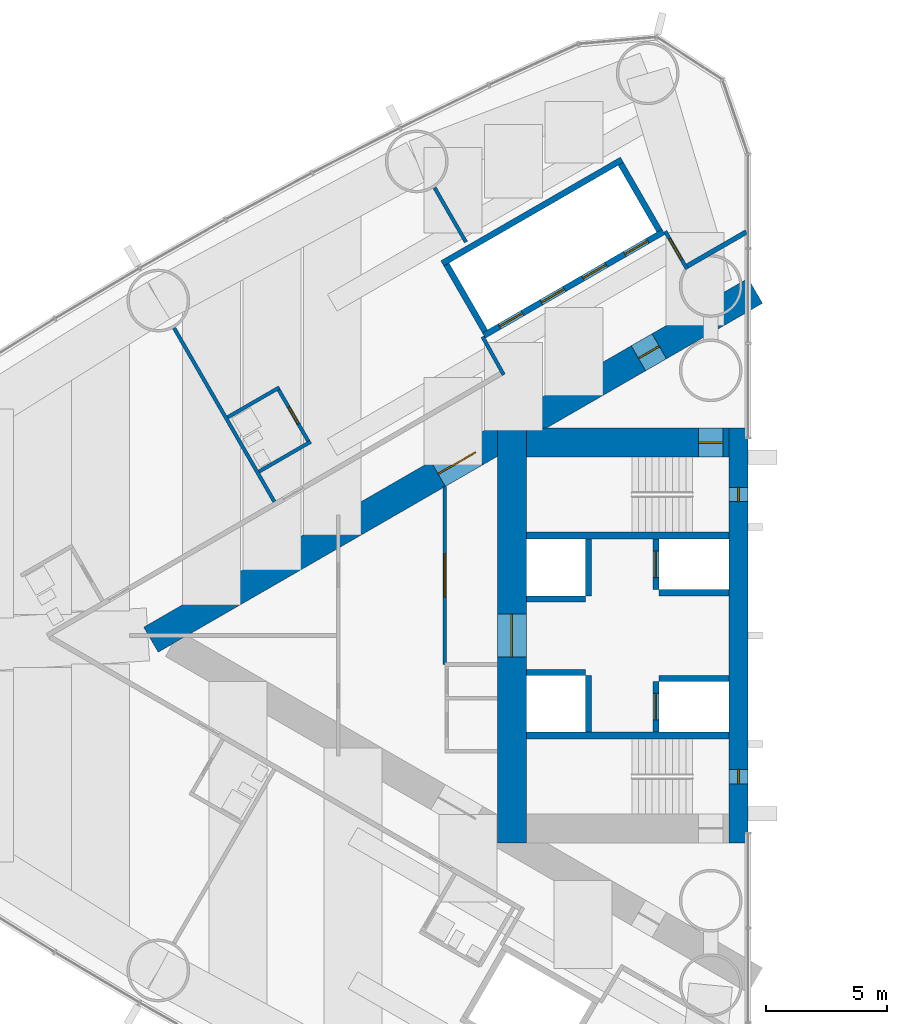
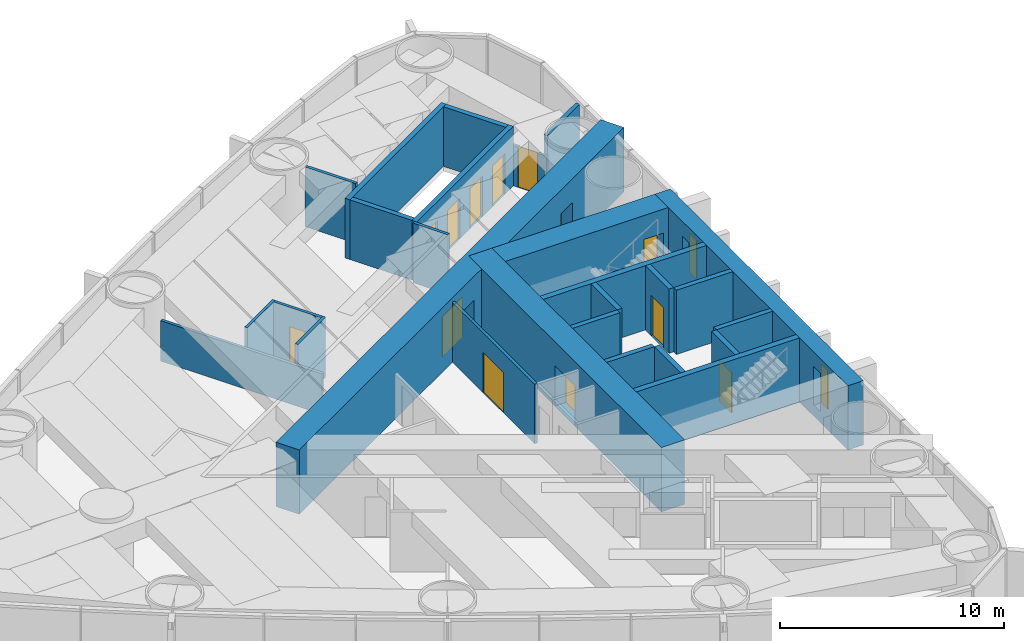
# One storey, part 12 of 18: 27 walls, 13 doors, 2 windows, 15 openings.
"""IFC4 building model written with IfcOpenShell, lengths in metres."""

from ifc_helpers import new_model, si_unit, direction, frame, frame_2d, origin, place, context, subcontext, project, spatial, rectangle, extrude, material, layer, layer_set, type_object, element, fill, save


model = new_model("IFC4")

# Units and contexts
model_context = context("Model", 3, precision=1e-05, world=origin(), true_north=direction((0.0, 1.0)))
body_context = subcontext(model_context, "Body", "Model", "MODEL_VIEW")
ifc_project = project(units=[si_unit("LENGTHUNIT", "METRE"), si_unit("AREAUNIT", "SQUARE_METRE"), si_unit("VOLUMEUNIT", "CUBIC_METRE"), si_unit("PLANEANGLEUNIT", "RADIAN"), si_unit("MASSUNIT", "GRAM", prefix="KILO")], contexts=[model_context])

# Site, building, storey
site_placement = place(None, origin())
site = spatial("IfcSite", under=ifc_project, at=site_placement, CompositionType="ELEMENT")
building_placement = place(site_placement, origin())
building = spatial("IfcBuilding", under=site, at=building_placement, Name="Lancet Gate Hotel", CompositionType="ELEMENT")
storey_placement = place(building_placement, frame((0.0, 0.0, 97.60009765625)))
storey = spatial("IfcBuildingStorey", under=building, at=storey_placement, Name="L25", CompositionType="ELEMENT", Elevation=97.60009765625)

# Wall
ifc_material_1 = material(Name="Moisture resistant board partition")
ifc_layer_1 = layer(ifc_material_1, 0.14990234375)
ifc_layer_set_1 = layer_set([ifc_layer_1], Name="Bathroom wall 150")
wall_type_1 = type_object("IfcWallType", Name="Bathroom wall 150", PredefinedType="PARTITIONING", material=ifc_layer_set_1)
wall_1_placement = place(storey_placement, frame((-46.94287109375, 10.29150390625, 0.0), z_axis=(0.0, 0.0, 1.0), x_axis=(-0.866006523861, -0.500032699561, 0.0)))
element("IfcWall", 1, at=wall_1_placement, inside=storey, type_object=wall_type_1, Name="T1 bathroom wall 150 L25", PredefinedType="PARTITIONING", context=body_context, shape_type="SweptSolid", body=[
    extrude(rectangle(XDim=2.474853515625, YDim=0.14990234375, at=frame_2d((1.2373046875, 0.0))), origin(), (0.0, 0.0, 1.0), 3.25),
])

# Wall, opening, door
wall_2_placement = place(storey_placement, frame((-45.707763671875, 8.00244140625, 0.0), z_axis=(0.0, 0.0, 1.0), x_axis=(-0.500047596559, 0.865997922154, 0.0)))
wall_2 = element("IfcWall", 2, at=wall_2_placement, inside=storey, type_object=wall_type_1, Name="T1 bathroom wall 150 L25", PredefinedType="PARTITIONING", context=body_context, shape_type="SweptSolid", body=[
    extrude(rectangle(XDim=2.599853515625, YDim=0.14990234375, at=frame_2d((1.2998046875, 0.0))), origin(), (0.0, 0.0, 1.0), 3.25),
])
opening_1_placement = place(wall_2_placement, frame((0.89990234375, 0.0, 0.0)))
opening_1 = element("IfcOpeningElement", 3, at=opening_1_placement, cuts=wall_2, Name="Opening 2502-B", PredefinedType="OPENING", context=body_context, shape_type="SweptSolid", body=[
    extrude(rectangle(XDim=0.800048828125, YDim=2.199951171875, at=frame_2d((0.39990234375, 1.10009765625))), frame((0.0, 0.0849609375, 0.0), z_axis=(0.0, -1.0, 0.0), x_axis=(1.0, 0.0, 0.0)), (0.0, 0.0, 1.0), 0.169921875),
])
ifc_material_2 = material(Name="Timber door set", Category="wood")
door_type_1 = type_object("IfcDoorType", Name="Bathroom door 800", OperationType="SINGLE_SWING_RIGHT", PredefinedType="DOOR", material=ifc_material_2)
door_1_placement = place(opening_1_placement, origin())
door_1 = element("IfcDoor", 4, at=door_1_placement, inside=storey, type_object=door_type_1, Name="2502-B", OperationType="SINGLE_SWING_RIGHT", OverallHeight=2.199951171875, OverallWidth=0.800048828125, PredefinedType="DOOR", context=body_context, shape_type="SweptSolid", body=[
    extrude(rectangle(XDim=0.800048828125, YDim=2.199951171875, at=frame_2d((0.39990234375, 1.10009765625))), frame((0.0, 0.02490234375, 0.0), z_axis=(0.0, -1.0, 0.0), x_axis=(1.0, 0.0, 0.0)), (0.0, 0.0, 1.0), 0.050048828125),
])
fill(opening_1, door_1)

# Wall
wall_3_placement = place(storey_placement, frame((-45.642822265625, 8.039794921875, 0.0), z_axis=(0.0, 0.0, 1.0), x_axis=(-0.866006523861, -0.500032699561, 0.0)))
element("IfcWall", 5, at=wall_3_placement, inside=storey, type_object=wall_type_1, Name="T1 bathroom wall 150 L25", PredefinedType="PARTITIONING", context=body_context, shape_type="SweptSolid", body=[
    extrude(rectangle(XDim=2.474853515625, YDim=0.14990234375, at=frame_2d((1.2373046875, 0.0))), origin(), (0.0, 0.0, 1.0), 3.25),
])

# Wall, openings, doors
ifc_material_3 = material(Name="Concrete C70/85", Category="concrete")
ifc_layer_2 = layer(ifc_material_3, 1.199951171875)
ifc_layer_set_2 = layer_set([ifc_layer_2], Name="Buttress wall 1200")
wall_type_2 = type_object("IfcWallType", Name="Buttress wall 1200", PredefinedType="SHEAR", material=ifc_layer_set_2)
wall_4_placement = place(storey_placement, frame((-27.199951171875, 14.300048828125, 0.0), z_axis=(0.0, 0.0, 1.0), x_axis=(-0.866026593062, -0.499997940104, 0.0)))
wall_4 = element("IfcWall", 6, at=wall_4_placement, inside=storey, type_object=wall_type_2, Name="T1 buttress wall S L25", PredefinedType="SHEAR", context=body_context, shape_type="SweptSolid", body=[
    extrude(rectangle(XDim=28.9462890625, YDim=1.199951171875, at=frame_2d((14.47314453125, 0.0))), origin(), (0.0, 0.0, 1.0), 3.5),
])
opening_2_placement = place(wall_4_placement, frame((4.60009765625, 0.0, 0.0)))
opening_2 = element("IfcOpeningElement", 7, at=opening_2_placement, cuts=wall_4, Name="Opening T1-L25-LS", PredefinedType="OPENING", context=body_context, shape_type="SweptSolid", body=[
    extrude(rectangle(XDim=1.0, YDim=2.199951171875, at=frame_2d((0.5, 1.10009765625))), frame((0.0, 0.60986328125, 0.0), z_axis=(0.0, -1.0, 0.0), x_axis=(1.0, 0.0, 0.0)), (0.0, 0.0, 1.0), 1.219970703125),
])
opening_3_placement = place(wall_4_placement, frame((13.39453125, 0.0, 0.0)))
opening_3 = element("IfcOpeningElement", 8, at=opening_3_placement, cuts=wall_4, Name="Opening T1-L25-LHS", PredefinedType="OPENING", context=body_context, shape_type="SweptSolid", body=[
    extrude(rectangle(XDim=1.800048828125, YDim=2.199951171875, at=frame_2d((0.89990234375, 1.10009765625))), frame((0.0, 0.60986328125, 0.0), z_axis=(0.0, -1.0, 0.0), x_axis=(1.0, 0.0, 0.0)), (0.0, 0.0, 1.0), 1.219970703125),
])
ifc_material_4 = material(Name="Timber door set", Category="wood")
door_type_2 = type_object("IfcDoorType", Name="Lobby double door 1800", OperationType="DOUBLE_DOOR_SINGLE_SWING", PredefinedType="DOOR", material=ifc_material_4)
door_2_placement = place(opening_3_placement, origin())
door_2 = element("IfcDoor", 9, at=door_2_placement, inside=storey, type_object=door_type_2, Name="T1-L25-LHS", OperationType="DOUBLE_DOOR_SINGLE_SWING", OverallHeight=2.199951171875, OverallWidth=1.800048828125, PredefinedType="DOOR", context=body_context, shape_type="SweptSolid", body=[
    extrude(rectangle(XDim=1.800048828125, YDim=2.199951171875, at=frame_2d((0.89990234375, 1.10009765625))), frame((0.0, 0.02490234375, 0.0), z_axis=(0.0, -1.0, 0.0), x_axis=(1.0, 0.0, 0.0)), (0.0, 0.0, 1.0), 0.050048828125),
])
fill(opening_3, door_2)
ifc_material_5 = material(Name="Timber door set", Category="wood")
door_type_3 = type_object("IfcDoorType", Name="Stair lobby door 1000", OperationType="SINGLE_SWING_LEFT", PredefinedType="DOOR", material=ifc_material_5)
door_3_placement = place(opening_2_placement, origin())
door_3 = element("IfcDoor", 10, at=door_3_placement, inside=storey, type_object=door_type_3, Name="T1-L25-LS", OperationType="SINGLE_SWING_LEFT", OverallHeight=2.199951171875, OverallWidth=1.0, PredefinedType="DOOR", context=body_context, shape_type="SweptSolid", body=[
    extrude(rectangle(XDim=1.0, YDim=2.199951171875, at=frame_2d((0.5, 1.10009765625))), frame((0.0, 0.02490234375, 0.0), z_axis=(0.0, -1.0, 0.0), x_axis=(1.0, 0.0, 0.0)), (0.0, 0.0, 1.0), 0.050048828125),
])
fill(opening_2, door_3)

# Wall, opening, door
ifc_material_6 = material(Name="Concrete C70/85", Category="concrete")
ifc_layer_3 = layer(ifc_material_6, 1.199951171875)
ifc_layer_set_3 = layer_set([ifc_layer_3], Name="Core wall 1200")
wall_type_3 = type_object("IfcWallType", Name="Core wall 1200", PredefinedType="SHEAR", material=ifc_layer_set_3)
wall_5_placement = place(storey_placement, frame((-37.300048828125, 8.60009765625, 0.0), z_axis=(0.0, 0.0, 1.0), x_axis=(0.0, -1.0, 0.0)))
wall_5 = element("IfcWall", 11, at=wall_5_placement, inside=storey, type_object=wall_type_3, Name="T1 core wall back L25", PredefinedType="SHEAR", context=body_context, shape_type="SweptSolid", body=[
    extrude(rectangle(XDim=17.2001953125, YDim=1.199951171875, at=frame_2d((8.60009765625, 0.0))), origin(), (0.0, 0.0, 1.0), 3.5),
])
opening_4_placement = place(wall_5_placement, frame((7.699951171875, 0.0, 0.0)))
opening_4 = element("IfcOpeningElement", 12, at=opening_4_placement, cuts=wall_5, Name="Opening T1-L25-LL", PredefinedType="OPENING", context=body_context, shape_type="SweptSolid", body=[
    extrude(rectangle(XDim=1.800048828125, YDim=2.199951171875, at=frame_2d((0.89990234375, 1.10009765625))), frame((0.0, 0.60986328125, 0.0), z_axis=(0.0, -1.0, 0.0), x_axis=(1.0, 0.0, 0.0)), (0.0, 0.0, 1.0), 1.219970703125),
])
door_4_placement = place(opening_4_placement, origin())
door_4 = element("IfcDoor", 13, at=door_4_placement, inside=storey, type_object=door_type_2, Name="T1-L25-LL", OperationType="DOUBLE_DOOR_SINGLE_SWING", OverallHeight=2.199951171875, OverallWidth=1.800048828125, PredefinedType="DOOR", context=body_context, shape_type="SweptSolid", body=[
    extrude(rectangle(XDim=1.800048828125, YDim=2.199951171875, at=frame_2d((0.89990234375, 1.10009765625))), frame((0.0, 0.02490234375, 0.0), z_axis=(0.0, -1.0, 0.0), x_axis=(1.0, 0.0, 0.0)), (0.0, 0.0, 1.0), 0.050048828125),
])
fill(opening_4, door_4)

wall_6_placement = place(storey_placement, frame((-28.300048828125, 8.0, 0.0), z_axis=(0.0, 0.0, 1.0), x_axis=(-1.0, 0.0, 0.0)))
wall_6 = element("IfcWall", 14, at=wall_6_placement, inside=storey, type_object=wall_type_3, Name="T1 core wall side-S L25", PredefinedType="SHEAR", context=body_context, shape_type="SweptSolid", body=[
    extrude(rectangle(XDim=8.39990234375, YDim=1.199951171875, at=frame_2d((4.199951171875, 0.0))), origin(), (0.0, 0.0, 1.0), 3.5),
])
opening_5_placement = place(wall_6_placement, frame((0.25, 0.0, 0.0)))
opening_5 = element("IfcOpeningElement", 15, at=opening_5_placement, cuts=wall_6, Name="Opening T1-L25-ST1", PredefinedType="OPENING", context=body_context, shape_type="SweptSolid", body=[
    extrude(rectangle(XDim=1.0, YDim=2.199951171875, at=frame_2d((0.5, 1.10009765625))), frame((0.0, 0.60986328125, 0.0), z_axis=(0.0, -1.0, 0.0), x_axis=(1.0, 0.0, 0.0)), (0.0, 0.0, 1.0), 1.219970703125),
])
ifc_material_7 = material(Name="Timber door set", Category="wood")
door_type_4 = type_object("IfcDoorType", Name="Stair door 1000", OperationType="SINGLE_SWING_RIGHT", PredefinedType="DOOR", material=ifc_material_7)
door_5_placement = place(opening_5_placement, origin())
door_5 = element("IfcDoor", 16, at=door_5_placement, inside=storey, type_object=door_type_4, Name="T1-L25-ST1", OperationType="SINGLE_SWING_RIGHT", OverallHeight=2.199951171875, OverallWidth=1.0, PredefinedType="DOOR", context=body_context, shape_type="SweptSolid", body=[
    extrude(rectangle(XDim=1.0, YDim=2.199951171875, at=frame_2d((0.5, 1.10009765625))), frame((0.0, 0.02490234375, 0.0), z_axis=(0.0, -1.0, 0.0), x_axis=(1.0, 0.0, 0.0)), (0.0, 0.0, 1.0), 0.050048828125),
])
fill(opening_5, door_5)

# Wall, openings, windows
ifc_material_8 = material(Name="Concrete C70/85", Category="concrete")
ifc_layer_4 = layer(ifc_material_8, 0.800048828125)
ifc_layer_set_4 = layer_set([ifc_layer_4], Name="Core wall 800")
wall_type_4 = type_object("IfcWallType", Name="Core wall 800", PredefinedType="SHEAR", material=ifc_layer_set_4)
wall_7_placement = place(storey_placement, frame((-27.89990234375, 8.60009765625, 0.0), z_axis=(0.0, 0.0, 1.0), x_axis=(0.0, -1.0, 0.0)))
wall_7 = element("IfcWall", 17, at=wall_7_placement, inside=storey, type_object=wall_type_4, Name="T1 core wall front L25", PredefinedType="SHEAR", context=body_context, shape_type="SweptSolid", body=[
    extrude(rectangle(XDim=17.2001953125, YDim=0.800048828125, at=frame_2d((8.60009765625, 0.0))), origin(), (0.0, 0.0, 1.0), 3.5),
])
opening_6_placement = place(wall_7_placement, frame((2.449951171875, 0.0, 0.60009765625)))
opening_6 = element("IfcOpeningElement", 18, at=opening_6_placement, cuts=wall_7, Name="Opening LW1", PredefinedType="OPENING", context=body_context, shape_type="SweptSolid", body=[
    extrude(rectangle(XDim=0.60009765625, YDim=2.10009765625, at=frame_2d((0.300048828125, 1.050048828125))), frame((0.0, 0.409912109375, 0.0), z_axis=(0.0, -1.0, 0.0), x_axis=(1.0, 0.0, 0.0)), (0.0, 0.0, 1.0), 0.820068359375),
])
opening_7_placement = place(wall_7_placement, frame((14.14990234375, 0.0, 0.60009765625)))
opening_7 = element("IfcOpeningElement", 19, at=opening_7_placement, cuts=wall_7, Name="Opening LW1", PredefinedType="OPENING", context=body_context, shape_type="SweptSolid", body=[
    extrude(rectangle(XDim=0.60009765625, YDim=2.10009765625, at=frame_2d((0.300048828125, 1.050048828125))), frame((0.0, 0.409912109375, 0.0), z_axis=(0.0, -1.0, 0.0), x_axis=(1.0, 0.0, 0.0)), (0.0, 0.0, 1.0), 0.820068359375),
])
ifc_material_9 = material(Name="Fire-resisting glazed steel window", Category="steel")
window_type = type_object("IfcWindowType", Name="Lancet window 600x2100", PartitioningType="SINGLE_PANEL", PredefinedType="WINDOW", material=ifc_material_9)
window_1_placement = place(opening_6_placement, origin())
window_1 = element("IfcWindow", 20, at=window_1_placement, inside=storey, type_object=window_type, Name="T1 stair window S L25", OverallHeight=2.10009765625, OverallWidth=0.60009765625, PartitioningType="SINGLE_PANEL", PredefinedType="WINDOW", context=body_context, shape_type="SweptSolid", body=[
    extrude(rectangle(XDim=0.60009765625, YDim=2.10009765625, at=frame_2d((0.300048828125, 1.050048828125))), frame((0.0, 0.030029296875, 0.0), z_axis=(0.0, -1.0, 0.0), x_axis=(1.0, 0.0, 0.0)), (0.0, 0.0, 1.0), 0.06005859375),
])
fill(opening_6, window_1)
window_2_placement = place(opening_7_placement, origin())
window_2 = element("IfcWindow", 21, at=window_2_placement, inside=storey, type_object=window_type, Name="T1 stair window N L25", OverallHeight=2.10009765625, OverallWidth=0.60009765625, PartitioningType="SINGLE_PANEL", PredefinedType="WINDOW", context=body_context, shape_type="SweptSolid", body=[
    extrude(rectangle(XDim=0.60009765625, YDim=2.10009765625, at=frame_2d((0.300048828125, 1.050048828125))), frame((0.0, 0.030029296875, 0.0), z_axis=(0.0, -1.0, 0.0), x_axis=(1.0, 0.0, 0.0)), (0.0, 0.0, 1.0), 0.06005859375),
])
fill(opening_7, window_2)

# Wall
ifc_material_10 = material(Name="Gypsum board partition")
ifc_layer_5 = layer(ifc_material_10, 0.199951171875)
ifc_layer_set_5 = layer_set([ifc_layer_5], Name="Corridor wall 200")
wall_type_5 = type_object("IfcWallType", Name="Corridor wall 200", PredefinedType="PARTITIONING", material=ifc_layer_set_5)
wall_8_placement = place(storey_placement, frame((-27.572021484375, 16.740966796875, 0.0), z_axis=(0.0, 0.0, 1.0), x_axis=(-0.866034618596, -0.499984039138, 0.0)))
element("IfcWall", 22, at=wall_8_placement, inside=storey, type_object=wall_type_5, Name="T1 corridor wall 200 L25", PredefinedType="PARTITIONING", context=body_context, shape_type="SweptSolid", body=[
    extrude(rectangle(XDim=2.8544921875, YDim=0.199951171875, at=frame_2d((1.42724609375, 0.0))), origin(), (0.0, 0.0, 1.0), 3.25),
])

# Wall, openings, doors
ifc_material_11 = material(Name="Gypsum board partition")
ifc_layer_6 = layer(ifc_material_11, 0.25)
ifc_layer_set_6 = layer_set([ifc_layer_6], Name="Lift shaft partition 250")
wall_type_6 = type_object("IfcWallType", Name="Lift shaft partition 250", PredefinedType="PARTITIONING", material=ifc_layer_set_6)
wall_9_placement = place(storey_placement, frame((-31.010498046875, 16.747314453125, 0.0), z_axis=(0.0, 0.0, 1.0), x_axis=(-0.866028165386, -0.499995216735, 0.0)))
wall_9 = element("IfcWall", 23, at=wall_9_placement, inside=storey, type_object=wall_type_6, Name="T1 lift shaft wall LR L25", PredefinedType="PARTITIONING", context=body_context, shape_type="SweptSolid", body=[
    extrude(rectangle(XDim=8.60009765625, YDim=0.25, at=frame_2d((4.300048828125, 0.0))), origin(), (0.0, 0.0, 1.0), 3.25),
])
opening_8_placement = place(wall_9_placement, frame((0.75, 0.0, 0.0)))
opening_8 = element("IfcOpeningElement", 24, at=opening_8_placement, cuts=wall_9, Name="Opening T1-LR1-L25", PredefinedType="OPENING", context=body_context, shape_type="SweptSolid", body=[
    extrude(rectangle(XDim=1.10009765625, YDim=2.199951171875, at=frame_2d((0.550048828125, 1.10009765625))), frame((0.0, 0.135009765625, 0.0), z_axis=(0.0, -1.0, 0.0), x_axis=(1.0, 0.0, 0.0)), (0.0, 0.0, 1.0), 0.27001953125),
])
opening_9_placement = place(wall_9_placement, frame((2.75, 0.0, 0.0)))
opening_9 = element("IfcOpeningElement", 25, at=opening_9_placement, cuts=wall_9, Name="Opening T1-LR2-L25", PredefinedType="OPENING", context=body_context, shape_type="SweptSolid", body=[
    extrude(rectangle(XDim=1.10009765625, YDim=2.199951171875, at=frame_2d((0.550048828125, 1.10009765625))), frame((0.0, 0.135009765625, 0.0), z_axis=(0.0, -1.0, 0.0), x_axis=(1.0, 0.0, 0.0)), (0.0, 0.0, 1.0), 0.27001953125),
])
opening_10_placement = place(wall_9_placement, frame((4.75, 0.0, 0.0)))
opening_10 = element("IfcOpeningElement", 26, at=opening_10_placement, cuts=wall_9, Name="Opening T1-LR3-L25", PredefinedType="OPENING", context=body_context, shape_type="SweptSolid", body=[
    extrude(rectangle(XDim=1.10009765625, YDim=2.199951171875, at=frame_2d((0.550048828125, 1.10009765625))), frame((0.0, 0.135009765625, 0.0), z_axis=(0.0, -1.0, 0.0), x_axis=(1.0, 0.0, 0.0)), (0.0, 0.0, 1.0), 0.27001953125),
])
opening_11_placement = place(wall_9_placement, frame((6.75, 0.0, 0.0)))
opening_11 = element("IfcOpeningElement", 27, at=opening_11_placement, cuts=wall_9, Name="Opening T1-LR4-L25", PredefinedType="OPENING", context=body_context, shape_type="SweptSolid", body=[
    extrude(rectangle(XDim=1.10009765625, YDim=2.199951171875, at=frame_2d((0.550048828125, 1.10009765625))), frame((0.0, 0.135009765625, 0.0), z_axis=(0.0, -1.0, 0.0), x_axis=(1.0, 0.0, 0.0)), (0.0, 0.0, 1.0), 0.27001953125),
])
ifc_material_12 = material(Name="Steel door set", Category="steel")
door_type_5 = type_object("IfcDoorType", Name="Lift landing door 1100", OperationType="DOUBLE_DOOR_SLIDING", PredefinedType="USERDEFINED", material=ifc_material_12)
door_6_placement = place(opening_8_placement, origin())
door_6 = element("IfcDoor", 28, at=door_6_placement, inside=storey, type_object=door_type_5, Name="T1-LR1-L25", ObjectType="LIFT LANDING DOOR", OperationType="DOUBLE_DOOR_SLIDING", OverallHeight=2.199951171875, OverallWidth=1.10009765625, PredefinedType="USERDEFINED", context=body_context, shape_type="SweptSolid", body=[
    extrude(rectangle(XDim=1.10009765625, YDim=2.199951171875, at=frame_2d((0.550048828125, 1.10009765625))), frame((0.0, 0.02490234375, 0.0), z_axis=(0.0, -1.0, 0.0), x_axis=(1.0, 0.0, 0.0)), (0.0, 0.0, 1.0), 0.050048828125),
])
fill(opening_8, door_6)
door_7_placement = place(opening_9_placement, origin())
door_7 = element("IfcDoor", 29, at=door_7_placement, inside=storey, type_object=door_type_5, Name="T1-LR2-L25", ObjectType="LIFT LANDING DOOR", OperationType="DOUBLE_DOOR_SLIDING", OverallHeight=2.199951171875, OverallWidth=1.10009765625, PredefinedType="USERDEFINED", context=body_context, shape_type="SweptSolid", body=[
    extrude(rectangle(XDim=1.10009765625, YDim=2.199951171875, at=frame_2d((0.550048828125, 1.10009765625))), frame((0.0, 0.02490234375, 0.0), z_axis=(0.0, -1.0, 0.0), x_axis=(1.0, 0.0, 0.0)), (0.0, 0.0, 1.0), 0.050048828125),
])
fill(opening_9, door_7)
door_8_placement = place(opening_10_placement, origin())
door_8 = element("IfcDoor", 30, at=door_8_placement, inside=storey, type_object=door_type_5, Name="T1-LR3-L25", ObjectType="LIFT LANDING DOOR", OperationType="DOUBLE_DOOR_SLIDING", OverallHeight=2.199951171875, OverallWidth=1.10009765625, PredefinedType="USERDEFINED", context=body_context, shape_type="SweptSolid", body=[
    extrude(rectangle(XDim=1.10009765625, YDim=2.199951171875, at=frame_2d((0.550048828125, 1.10009765625))), frame((0.0, 0.02490234375, 0.0), z_axis=(0.0, -1.0, 0.0), x_axis=(1.0, 0.0, 0.0)), (0.0, 0.0, 1.0), 0.050048828125),
])
fill(opening_10, door_8)
door_9_placement = place(opening_11_placement, origin())
door_9 = element("IfcDoor", 31, at=door_9_placement, inside=storey, type_object=door_type_5, Name="T1-LR4-L25", ObjectType="LIFT LANDING DOOR", OperationType="DOUBLE_DOOR_SLIDING", OverallHeight=2.199951171875, OverallWidth=1.10009765625, PredefinedType="USERDEFINED", context=body_context, shape_type="SweptSolid", body=[
    extrude(rectangle(XDim=1.10009765625, YDim=2.199951171875, at=frame_2d((0.550048828125, 1.10009765625))), frame((0.0, 0.02490234375, 0.0), z_axis=(0.0, -1.0, 0.0), x_axis=(1.0, 0.0, 0.0)), (0.0, 0.0, 1.0), 0.050048828125),
])
fill(opening_11, door_9)

# Walls
wall_10_placement = place(storey_placement, frame((-32.735595703125, 19.73583984375, 0.0), z_axis=(0.0, 0.0, 1.0), x_axis=(-0.866028165386, -0.499995216735, 0.0)))
element("IfcWall", 32, at=wall_10_placement, inside=storey, type_object=wall_type_6, Name="T1 lift shaft wall LR L25", PredefinedType="PARTITIONING", context=body_context, shape_type="SweptSolid", body=[
    extrude(rectangle(XDim=8.60009765625, YDim=0.25, at=frame_2d((4.300048828125, 0.0))), origin(), (0.0, 0.0, 1.0), 3.25),
])
wall_11_placement = place(storey_placement, frame((-31.18115234375, 16.79296875, 0.0), z_axis=(0.0, 0.0, 1.0), x_axis=(-0.499929347863, 0.866066190972, 0.0)))
element("IfcWall", 33, at=wall_11_placement, inside=storey, type_object=wall_type_6, Name="T1 lift shaft wall LR L25", PredefinedType="PARTITIONING", context=body_context, shape_type="SweptSolid", body=[
    extrude(rectangle(XDim=3.20068359375, YDim=0.25, at=frame_2d((1.600341796875, 0.0))), origin(), (0.0, 0.0, 1.0), 3.25),
])
wall_12_placement = place(storey_placement, frame((-38.412841796875, 12.617919921875, 0.0), z_axis=(0.0, 0.0, 1.0), x_axis=(-0.499872130319, 0.866099216793, 0.0)))
element("IfcWall", 34, at=wall_12_placement, inside=storey, type_object=wall_type_6, Name="T1 lift shaft wall LR L25", PredefinedType="PARTITIONING", context=body_context, shape_type="SweptSolid", body=[
    extrude(rectangle(XDim=3.200439453125, YDim=0.25, at=frame_2d((1.60009765625, 0.0))), origin(), (0.0, 0.0, 1.0), 3.25),
])

# Wall, opening, door
ifc_material_13 = material(Name="Concrete C50/60", Category="concrete")
ifc_layer_7 = layer(ifc_material_13, 0.25)
ifc_layer_set_7 = layer_set([ifc_layer_7], Name="Lift shaft wall 250")
wall_type_7 = type_object("IfcWallType", Name="Lift shaft wall 250", PredefinedType="SHEAR", material=ifc_layer_set_7)
wall_13_placement = place(storey_placement, frame((-31.324951171875, 4.0, 0.0), z_axis=(0.0, 0.0, 1.0), x_axis=(0.0, -1.0, 0.0)))
wall_13 = element("IfcWall", 35, at=wall_13_placement, inside=storey, type_object=wall_type_7, Name="T1 core wall row1-S L25", PredefinedType="SHEAR", context=body_context, shape_type="SweptSolid", body=[
    extrude(rectangle(XDim=2.10009765625, YDim=0.25, at=frame_2d((1.050048828125, 0.0))), origin(), (0.0, 0.0, 1.0), 3.5),
])
opening_12_placement = place(wall_13_placement, frame((0.5, 0.0, 0.0)))
opening_12 = element("IfcOpeningElement", 36, at=opening_12_placement, cuts=wall_13, Name="Opening T1-SL1-L25", PredefinedType="OPENING", context=body_context, shape_type="SweptSolid", body=[
    extrude(rectangle(XDim=1.10009765625, YDim=2.199951171875, at=frame_2d((0.550048828125, 1.10009765625))), frame((0.0, 0.135009765625, 0.0), z_axis=(0.0, -1.0, 0.0), x_axis=(1.0, 0.0, 0.0)), (0.0, 0.0, 1.0), 0.27001953125),
])
ifc_material_14 = material(Name="Timber door set", Category="wood")
door_type_6 = type_object("IfcDoorType", Name="Service lift landing door 1100", OperationType="SLIDING_TO_LEFT", PredefinedType="USERDEFINED", material=ifc_material_14)
door_10_placement = place(opening_12_placement, origin())
door_10 = element("IfcDoor", 37, at=door_10_placement, inside=storey, type_object=door_type_6, Name="T1-SL1-L25", ObjectType="LIFT LANDING DOOR", OperationType="SLIDING_TO_LEFT", OverallHeight=2.199951171875, OverallWidth=1.10009765625, PredefinedType="USERDEFINED", context=body_context, shape_type="SweptSolid", body=[
    extrude(rectangle(XDim=1.10009765625, YDim=2.199951171875, at=frame_2d((0.550048828125, 1.10009765625))), frame((0.0, 0.02490234375, 0.0), z_axis=(0.0, -1.0, 0.0), x_axis=(1.0, 0.0, 0.0)), (0.0, 0.0, 1.0), 0.050048828125),
])
fill(opening_12, door_10)

# Walls
wall_14_placement = place(storey_placement, frame((-34.125, 4.0, 0.0), z_axis=(0.0, 0.0, 1.0), x_axis=(0.0, -1.0, 0.0)))
element("IfcWall", 38, at=wall_14_placement, inside=storey, type_object=wall_type_7, Name="T1 core wall row2-S L25", PredefinedType="SHEAR", context=body_context, shape_type="SweptSolid", body=[
    extrude(rectangle(XDim=2.35009765625, YDim=0.25, at=frame_2d((1.175048828125, 0.0))), origin(), (0.0, 0.0, 1.0), 3.5),
])
wall_15_placement = place(storey_placement, frame((-28.300048828125, 1.77490234375, 0.0), z_axis=(0.0, 0.0, 1.0), x_axis=(-1.0, 0.0, 0.0)))
element("IfcWall", 39, at=wall_15_placement, inside=storey, type_object=wall_type_7, Name="T1 core wall pass1-S L25", PredefinedType="SHEAR", context=body_context, shape_type="SweptSolid", body=[
    extrude(rectangle(XDim=2.89990234375, YDim=0.25, at=frame_2d((1.449951171875, 0.0))), origin(), (0.0, 0.0, 1.0), 3.5),
])
wall_16_placement = place(storey_placement, frame((-34.25, 1.52490234375, 0.0), z_axis=(0.0, 0.0, 1.0), x_axis=(-1.0, 0.0, 0.0)))
element("IfcWall", 40, at=wall_16_placement, inside=storey, type_object=wall_type_7, Name="T1 core wall pass2-S L25", PredefinedType="SHEAR", context=body_context, shape_type="SweptSolid", body=[
    extrude(rectangle(XDim=2.449951171875, YDim=0.25, at=frame_2d((1.22509765625, 0.0))), origin(), (0.0, 0.0, 1.0), 3.5),
])

# Wall, opening, door
wall_17_placement = place(storey_placement, frame((-31.324951171875, -1.89990234375, 0.0), z_axis=(0.0, 0.0, 1.0), x_axis=(0.0, -1.0, 0.0)))
wall_17 = element("IfcWall", 41, at=wall_17_placement, inside=storey, type_object=wall_type_7, Name="T1 core wall row1-N L25", PredefinedType="SHEAR", context=body_context, shape_type="SweptSolid", body=[
    extrude(rectangle(XDim=2.10009765625, YDim=0.25, at=frame_2d((1.050048828125, 0.0))), origin(), (0.0, 0.0, 1.0), 3.5),
])
opening_13_placement = place(wall_17_placement, frame((0.5, 0.0, 0.0)))
opening_13 = element("IfcOpeningElement", 42, at=opening_13_placement, cuts=wall_17, Name="Opening T1-FL2-L25", PredefinedType="OPENING", context=body_context, shape_type="SweptSolid", body=[
    extrude(rectangle(XDim=1.10009765625, YDim=2.199951171875, at=frame_2d((0.550048828125, 1.10009765625))), frame((0.0, 0.135009765625, 0.0), z_axis=(0.0, -1.0, 0.0), x_axis=(1.0, 0.0, 0.0)), (0.0, 0.0, 1.0), 0.27001953125),
])
ifc_material_15 = material(Name="Steel door set", Category="steel")
door_type_7 = type_object("IfcDoorType", Name="Firefighting lift landing door 1100", OperationType="SLIDING_TO_LEFT", PredefinedType="USERDEFINED", material=ifc_material_15)
door_11_placement = place(opening_13_placement, origin())
door_11 = element("IfcDoor", 43, at=door_11_placement, inside=storey, type_object=door_type_7, Name="T1-FL2-L25", ObjectType="LIFT LANDING DOOR", OperationType="SLIDING_TO_LEFT", OverallHeight=2.199951171875, OverallWidth=1.10009765625, PredefinedType="USERDEFINED", context=body_context, shape_type="SweptSolid", body=[
    extrude(rectangle(XDim=1.10009765625, YDim=2.199951171875, at=frame_2d((0.550048828125, 1.10009765625))), frame((0.0, 0.02490234375, 0.0), z_axis=(0.0, -1.0, 0.0), x_axis=(1.0, 0.0, 0.0)), (0.0, 0.0, 1.0), 0.050048828125),
])
fill(opening_13, door_11)

# Walls
wall_18_placement = place(storey_placement, frame((-34.125, -1.64990234375, 0.0), z_axis=(0.0, 0.0, 1.0), x_axis=(0.0, -1.0, 0.0)))
element("IfcWall", 44, at=wall_18_placement, inside=storey, type_object=wall_type_7, Name="T1 core wall row2-N L25", PredefinedType="SHEAR", context=body_context, shape_type="SweptSolid", body=[
    extrude(rectangle(XDim=2.35009765625, YDim=0.25, at=frame_2d((1.175048828125, 0.0))), origin(), (0.0, 0.0, 1.0), 3.5),
])
wall_19_placement = place(storey_placement, frame((-28.300048828125, -1.77490234375, 0.0), z_axis=(0.0, 0.0, 1.0), x_axis=(-1.0, 0.0, 0.0)))
element("IfcWall", 45, at=wall_19_placement, inside=storey, type_object=wall_type_7, Name="T1 core wall pass1-N L25", PredefinedType="SHEAR", context=body_context, shape_type="SweptSolid", body=[
    extrude(rectangle(XDim=2.89990234375, YDim=0.25, at=frame_2d((1.449951171875, 0.0))), origin(), (0.0, 0.0, 1.0), 3.5),
])
wall_20_placement = place(storey_placement, frame((-34.25, -1.52490234375, 0.0), z_axis=(0.0, 0.0, 1.0), x_axis=(-1.0, 0.0, 0.0)))
element("IfcWall", 46, at=wall_20_placement, inside=storey, type_object=wall_type_7, Name="T1 core wall pass2-N L25", PredefinedType="SHEAR", context=body_context, shape_type="SweptSolid", body=[
    extrude(rectangle(XDim=2.449951171875, YDim=0.25, at=frame_2d((1.22509765625, 0.0))), origin(), (0.0, 0.0, 1.0), 3.5),
])
ifc_material_16 = material(Name="Gypsum board partition")
ifc_layer_8 = layer(ifc_material_16, 0.14990234375)
ifc_layer_set_8 = layer_set([ifc_layer_8], Name="Party wall 150")
wall_type_8 = type_object("IfcWallType", Name="Party wall 150", PredefinedType="PARTITIONING", material=ifc_layer_set_8)
wall_21_placement = place(storey_placement, frame((-47.151123046875, 5.552490234375, 0.0), z_axis=(0.0, 0.0, 1.0), x_axis=(-0.500003012045, 0.866023664773, 0.0)))
element("IfcWall", 47, at=wall_21_placement, inside=storey, type_object=wall_type_8, Name="T1 party wall 150 L25", PredefinedType="PARTITIONING", context=body_context, shape_type="SweptSolid", body=[
    extrude(rectangle(XDim=8.31103515625, YDim=0.14990234375, at=frame_2d((4.155517578125, 0.0))), origin(), (0.0, 0.0, 1.0), 2.199951171875),
])
wall_22_placement = place(storey_placement, frame((-39.202392578125, 16.31982421875, 0.0), z_axis=(0.0, 0.0, 1.0), x_axis=(-0.499947391036, 0.866055775454, 0.0)))
element("IfcWall", 48, at=wall_22_placement, inside=storey, type_object=wall_type_8, Name="T1 party wall 150 L25", PredefinedType="PARTITIONING", context=body_context, shape_type="SweptSolid", body=[
    extrude(rectangle(XDim=2.599365234375, YDim=0.14990234375, at=frame_2d((1.2998046875, 0.0))), origin(), (0.0, 0.0, 1.0), 3.25),
])
ifc_material_17 = material(Name="Gypsum board partition")
ifc_layer_9 = layer(ifc_material_17, 0.14990234375)
ifc_layer_set_9 = layer_set([ifc_layer_9], Name="Service room wall 150")
wall_type_9 = type_object("IfcWallType", Name="Service room wall 150", PredefinedType="PARTITIONING", material=ifc_layer_set_9)
wall_23_placement = place(storey_placement, frame((-38.513427734375, 12.392333984375, 0.0), z_axis=(0.0, 0.0, 1.0), x_axis=(0.485585508183, -0.874189175317, 0.0)))
element("IfcWall", 49, at=wall_23_placement, inside=storey, type_object=wall_type_9, Name="T1 service room wall 150 L25", PredefinedType="PARTITIONING", context=body_context, shape_type="SweptSolid", body=[
    extrude(rectangle(XDim=1.804931640625, YDim=0.14990234375, at=frame_2d((0.90234375, 0.0))), origin(), (0.0, 0.0, 1.0), 3.25),
])

# Wall, opening, door
wall_24_placement = place(storey_placement, frame((-30.033203125, 15.20458984375, 0.0), z_axis=(0.0, 0.0, 1.0), x_axis=(-0.499980071345, 0.866036909293, 0.0)))
wall_24 = element("IfcWall", 50, at=wall_24_placement, inside=storey, type_object=wall_type_9, Name="T1 service room wall 150 L25", PredefinedType="PARTITIONING", context=body_context, shape_type="SweptSolid", body=[
    extrude(rectangle(XDim=1.8046875, YDim=0.14990234375, at=frame_2d((0.90234375, 0.0))), origin(), (0.0, 0.0, 1.0), 2.199951171875),
])
opening_14_placement = place(wall_24_placement, frame((0.451904296875, 0.0, 0.0)))
opening_14 = element("IfcOpeningElement", 51, at=opening_14_placement, cuts=wall_24, Name="Opening T1-L25-LO1", PredefinedType="OPENING", context=body_context, shape_type="SweptSolid", body=[
    extrude(rectangle(XDim=1.0, YDim=2.199951171875, at=frame_2d((0.5, 1.10009765625))), frame((0.0, 0.0849609375, 0.0), z_axis=(0.0, -1.0, 0.0), x_axis=(1.0, 0.0, 0.0)), (0.0, 0.0, 1.0), 0.169921875),
])
ifc_material_18 = material(Name="Timber door set", Category="wood")
door_type_8 = type_object("IfcDoorType", Name="Service door 1000", OperationType="SINGLE_SWING_LEFT", PredefinedType="DOOR", material=ifc_material_18)
door_12_placement = place(opening_14_placement, origin())
door_12 = element("IfcDoor", 52, at=door_12_placement, inside=storey, type_object=door_type_8, Name="T1-L25-LO1", OperationType="SINGLE_SWING_LEFT", OverallHeight=2.199951171875, OverallWidth=1.0, PredefinedType="DOOR", context=body_context, shape_type="SweptSolid", body=[
    extrude(rectangle(XDim=1.0, YDim=2.199951171875, at=frame_2d((0.5, 1.10009765625))), frame((0.0, 0.02490234375, 0.0), z_axis=(0.0, -1.0, 0.0), x_axis=(1.0, 0.0, 0.0)), (0.0, 0.0, 1.0), 0.050048828125),
])
fill(opening_14, door_12)

wall_25_placement = place(storey_placement, frame((-40.074951171875, 6.173828125, 0.0), z_axis=(0.0, 0.0, 1.0), x_axis=(0.0, -1.0, 0.0)))
wall_25 = element("IfcWall", 53, at=wall_25_placement, inside=storey, type_object=wall_type_9, Name="T1 service room wall 150 L25", PredefinedType="PARTITIONING", context=body_context, shape_type="SweptSolid", body=[
    extrude(rectangle(XDim=7.373779296875, YDim=0.14990234375, at=frame_2d((3.68701171875, 0.0))), origin(), (0.0, 0.0, 1.0), 3.25),
])
opening_15_placement = place(wall_25_placement, frame((2.786865234375, 0.0, 0.0)))
opening_15 = element("IfcOpeningElement", 54, at=opening_15_placement, cuts=wall_25, Name="Opening T1-L25-LH", PredefinedType="OPENING", context=body_context, shape_type="SweptSolid", body=[
    extrude(rectangle(XDim=1.800048828125, YDim=2.199951171875, at=frame_2d((0.89990234375, 1.10009765625))), frame((0.0, 0.0849609375, 0.0), z_axis=(0.0, -1.0, 0.0), x_axis=(1.0, 0.0, 0.0)), (0.0, 0.0, 1.0), 0.169921875),
])
door_13_placement = place(opening_15_placement, origin())
door_13 = element("IfcDoor", 55, at=door_13_placement, inside=storey, type_object=door_type_2, Name="T1-L25-LH", OperationType="DOUBLE_DOOR_SINGLE_SWING", OverallHeight=2.199951171875, OverallWidth=1.800048828125, PredefinedType="DOOR", context=body_context, shape_type="SweptSolid", body=[
    extrude(rectangle(XDim=1.800048828125, YDim=2.199951171875, at=frame_2d((0.89990234375, 1.10009765625))), frame((0.0, 0.02490234375, 0.0), z_axis=(0.0, -1.0, 0.0), x_axis=(1.0, 0.0, 0.0)), (0.0, 0.0, 1.0), 0.050048828125),
])
fill(opening_15, door_13)

# Walls
ifc_material_19 = material(Name="Concrete C50/60", Category="concrete")
ifc_layer_10 = layer(ifc_material_19, 0.300048828125)
ifc_layer_set_10 = layer_set([ifc_layer_10], Name="Stair enclosure wall 300")
wall_type_10 = type_object("IfcWallType", Name="Stair enclosure wall 300", PredefinedType="SHEAR", material=ifc_layer_set_10)
for number, where, z_axis, x_axis, name in (
    (56, (-28.300048828125, 4.14990234375, 0.0), (0.0, 0.0, 1.0), (-1.0, 0.0, 0.0), "T1 core wall stair-S L25"),
    (57, (-28.300048828125, -4.14990234375, 0.0), (0.0, 0.0, 1.0), (-1.0, 0.0, 0.0), "T1 core wall stair-N L25"),
):
    element("IfcWall", number, at=place(storey_placement, frame(where, z_axis=z_axis, x_axis=x_axis)), inside=storey, type_object=wall_type_10, Name=name, PredefinedType="SHEAR", context=body_context, shape_type="SweptSolid", body=[
        extrude(rectangle(XDim=8.39990234375, YDim=0.300048828125, at=frame_2d((4.199951171875, 0.0))), origin(), (0.0, 0.0, 1.0), 3.5),
    ])

save(model, "model.ifc")
